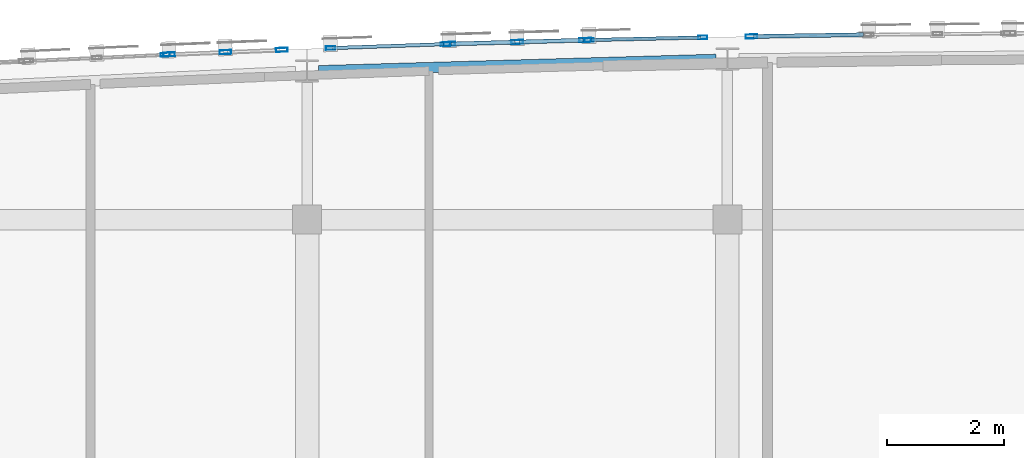
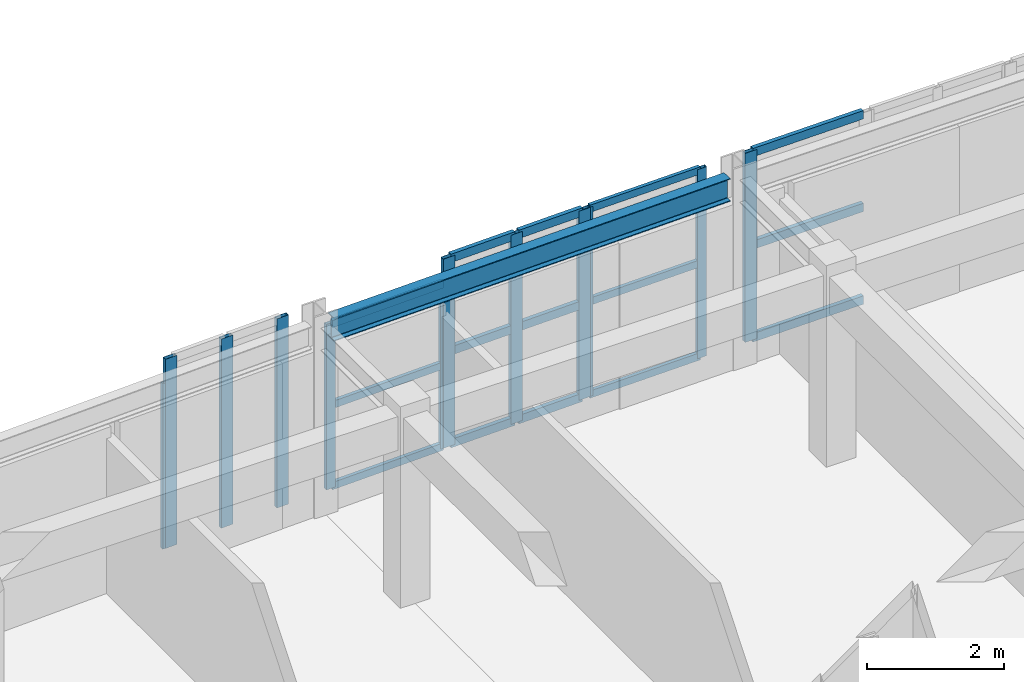
# One storey, part 14 of 34: 27 members, 1 beam, 6 elements without a shape of their own.
"""IFC4 building model written with IfcOpenShell, lengths in metres."""

from ifc_helpers import new_model, si_unit, direction, frame, origin, origin_2d, place, context, subcontext, project, spatial, hollow_rectangle, i_section, extrude, material, layer, layer_set, material_profile, profile_set, type_object, element, aggregate, save


model = new_model("IFC4")

# Units and contexts
model_context = context("Model", 3, precision=1e-05, world=origin(), true_north=direction((0.0, 1.0)))
body_context = subcontext(model_context, "Body", "Model", "MODEL_VIEW")
ifc_project = project(units=[si_unit("LENGTHUNIT", "METRE"), si_unit("AREAUNIT", "SQUARE_METRE"), si_unit("VOLUMEUNIT", "CUBIC_METRE"), si_unit("PLANEANGLEUNIT", "RADIAN"), si_unit("MASSUNIT", "GRAM", prefix="KILO")], contexts=[model_context])

# Site, building, storey
site_placement = place(None, origin())
site = spatial("IfcSite", under=ifc_project, at=site_placement, CompositionType="ELEMENT")
building_placement = place(site_placement, origin())
building = spatial("IfcBuilding", under=site, at=building_placement, Name="Carrowvane Square Congress Hotel", CompositionType="ELEMENT")
storey_placement = place(building_placement, frame((0.0, 0.0, 40.800048828125)))
storey = spatial("IfcBuildingStorey", under=building, at=storey_placement, Name="L10", CompositionType="ELEMENT", Elevation=40.800048828125)

# Beam
ifc_material_1 = material(Name="Steel S355", Category="steel")
ifc_material_profile_1 = material_profile(ifc_material_1, i_section(OverallWidth=0.1787109375, OverallDepth=0.409423828125, WebThickness=0.0087890625, FlangeThickness=0.014404296875, FilletRadius=0.01025390625, at=origin_2d()), Name="UKB 406x178x67")
ifc_profile_set_1 = profile_set([ifc_material_profile_1], Name="Steel S355")
beam_type = type_object("IfcBeamType", Name="BM-ST-UKB406", PredefinedType="BEAM", material=ifc_profile_set_1)
beam_placement = place(storey_placement, frame((83.79736328125, 115.94970703125, 3.17529296875), z_axis=(0.999592525084, 0.028544417936, 0.0), x_axis=(-0.028544417936, 0.999592525084, 0.0)))
element("IfcBeam", 1, at=beam_placement, inside=storey, type_object=beam_type, Name="L11 curved north spandrel", PredefinedType="BEAM", context=body_context, shape_type="SweptSolid", body=[
    extrude(i_section(OverallWidth=0.1787109375, OverallDepth=0.409423828125, WebThickness=0.0087890625, FlangeThickness=0.014404296875, FilletRadius=0.01025390625, at=origin_2d()), origin(), (0.0, 0.0, 1.0), 6.80810546875),
])

# Curtain wall, member
ifc_material_2 = material(Name="Anodised aluminium", Category="aluminium")
ifc_layer_1 = layer(ifc_material_2, 0.23388671875)
ifc_layer_set_1 = layer_set([ifc_layer_1], Name="Anodised aluminium")
curtain_wall_type_1 = type_object("IfcCurtainWallType", Name="CW-SYS-7", PredefinedType="NOTDEFINED", material=ifc_layer_set_1)
curtain_wall_1_placement = place(storey_placement, origin())
curtain_wall_1 = element("IfcCurtainWall", 2, at=curtain_wall_1_placement, inside=storey, type_object=curtain_wall_type_1, Name="L10 unitised curtain wall 566", PredefinedType="NOTDEFINED")
ifc_material_3 = material(Name="Anodised aluminium", Category="aluminium")
ifc_material_profile_2 = material_profile(ifc_material_3, hollow_rectangle(XDim=0.06005859375, YDim=0.159912109375, WallThickness=0.00390625, at=origin_2d()), Name="CW-ML 60x160x4")
ifc_profile_set_2 = profile_set([ifc_material_profile_2], Name="Anodised aluminium")
member_type_1 = type_object("IfcMemberType", Name="CW-MUL-1", PredefinedType="MULLION", material=ifc_profile_set_2)
member_1_placement = place(storey_placement, frame((81.170166015625, 116.226318359375, 0.0), z_axis=(0.0, 0.0, 1.0), x_axis=(-0.045411059449, 0.998968385726, 0.0)))
member_1 = element("IfcMember", 3, at=member_1_placement, type_object=member_type_1, Name="CW-7 mullion 3", PredefinedType="MULLION", context=body_context, shape_type="SweptSolid", body=[
    extrude(hollow_rectangle(XDim=0.06005859375, YDim=0.159912109375, WallThickness=0.00390625, at=origin_2d()), origin(), (0.0, 0.0, 1.0), 2.95556640625),
])
aggregate(curtain_wall_1, [member_1])

# Curtain wall, members
ifc_material_4 = material(Name="Anodised aluminium", Category="aluminium")
ifc_layer_2 = layer(ifc_material_4, 0.162109375)
ifc_layer_set_2 = layer_set([ifc_layer_2], Name="Anodised aluminium")
curtain_wall_type_2 = type_object("IfcCurtainWallType", Name="CW-SYS-1", PredefinedType="NOTDEFINED", material=ifc_layer_set_2)
curtain_wall_2_placement = place(storey_placement, origin())
curtain_wall_2 = element("IfcCurtainWall", 4, at=curtain_wall_2_placement, inside=storey, type_object=curtain_wall_type_2, Name="L10 unitised curtain wall 568", PredefinedType="NOTDEFINED")
member_2_placement = place(storey_placement, frame((84.00048828125, 116.337890625, 0.0), z_axis=(0.0, 0.0, 1.0), x_axis=(-0.034526729036, 0.999403774749, 0.0)))
member_2 = element("IfcMember", 5, at=member_2_placement, type_object=member_type_1, Name="CW-1 mullion 1", PredefinedType="MULLION", context=body_context, shape_type="SweptSolid", body=[
    extrude(hollow_rectangle(XDim=0.06005859375, YDim=0.159912109375, WallThickness=0.00390625, at=origin_2d()), origin(), (0.0, 0.0, 1.0), 2.95556640625),
])
member_3_placement = place(storey_placement, frame((85.969970703125, 116.406005859375, 0.0), z_axis=(0.0, 0.0, 1.0), x_axis=(-0.034526729036, 0.999403774749, 0.0)))
member_3 = element("IfcMember", 6, at=member_3_placement, type_object=member_type_1, Name="CW-1 mullion 2", PredefinedType="MULLION", context=body_context, shape_type="SweptSolid", body=[
    extrude(hollow_rectangle(XDim=0.06005859375, YDim=0.159912109375, WallThickness=0.00390625, at=origin_2d()), origin(), (0.0, 0.0, 1.0), 2.95556640625),
])

ifc_material_5 = material(Name="Anodised aluminium", Category="aluminium")
ifc_layer_3 = layer(ifc_material_5, 0.18603515625)
ifc_layer_set_3 = layer_set([ifc_layer_3], Name="Anodised aluminium")
curtain_wall_type_3 = type_object("IfcCurtainWallType", Name="CW-SYS-3", PredefinedType="NOTDEFINED", material=ifc_layer_set_3)
curtain_wall_3_placement = place(storey_placement, origin())
curtain_wall_3 = element("IfcCurtainWall", 7, at=curtain_wall_3_placement, inside=storey, type_object=curtain_wall_type_3, Name="L10 unitised curtain wall 570", PredefinedType="NOTDEFINED")
member_4_placement = place(storey_placement, frame((88.429931640625, 116.476318359375, 0.0), z_axis=(0.0, 0.0, 1.0), x_axis=(-0.022517686606, 0.99974644475, 0.0)))
member_4 = element("IfcMember", 8, at=member_4_placement, type_object=member_type_1, Name="CW-3 mullion 1", PredefinedType="MULLION", context=body_context, shape_type="SweptSolid", body=[
    extrude(hollow_rectangle(XDim=0.06005859375, YDim=0.159912109375, WallThickness=0.00390625, at=origin_2d()), origin(), (0.0, 0.0, 1.0), 3.3798828125),
])
member_5_placement = place(storey_placement, frame((90.377685546875, 116.520263671875, 0.0), z_axis=(0.0, 0.0, 1.0), x_axis=(-0.022517686606, 0.99974644475, 0.0)))
member_5 = element("IfcMember", 9, at=member_5_placement, type_object=member_type_1, Name="CW-3 mullion 2", PredefinedType="MULLION", context=body_context, shape_type="SweptSolid", body=[
    extrude(hollow_rectangle(XDim=0.06005859375, YDim=0.159912109375, WallThickness=0.00390625, at=origin_2d()), origin(), (0.0, 0.0, 1.0), 3.3798828125),
])

ifc_material_6 = material(Name="Anodised aluminium", Category="aluminium")
ifc_layer_4 = layer(ifc_material_6, 0.24609375)
ifc_layer_set_4 = layer_set([ifc_layer_4], Name="Anodised aluminium")
curtain_wall_type_4 = type_object("IfcCurtainWallType", Name="CW-SYS-8", PredefinedType="NOTDEFINED", material=ifc_layer_set_4)
curtain_wall_4_placement = place(storey_placement, origin())
curtain_wall_4 = element("IfcCurtainWall", 10, at=curtain_wall_4_placement, inside=storey, type_object=curtain_wall_type_4, Name="L10 unitised curtain wall 567", PredefinedType="NOTDEFINED")
ifc_material_7 = material(Name="Anodised aluminium", Category="aluminium")
ifc_material_profile_3 = material_profile(ifc_material_7, hollow_rectangle(XDim=0.070068359375, YDim=0.199951171875, WallThickness=0.0048828125, at=origin_2d()), Name="CW-ML 70x200x5")
ifc_profile_set_3 = profile_set([ifc_material_profile_3], Name="Anodised aluminium")
member_type_2 = type_object("IfcMemberType", Name="CW-MUL-2", PredefinedType="MULLION", material=ifc_profile_set_3)
member_6_placement = place(storey_placement, frame((81.23486328125, 116.22900390625, 0.0), z_axis=(0.0, 0.0, 1.0), x_axis=(-0.040135742379, 0.999194236464, 0.0)))
member_6 = element("IfcMember", 11, at=member_6_placement, type_object=member_type_2, Name="CW-8 mullion 1", PredefinedType="MULLION", context=body_context, shape_type="SweptSolid", body=[
    extrude(hollow_rectangle(XDim=0.070068359375, YDim=0.199951171875, WallThickness=0.0048828125, at=origin_2d()), origin(), (0.0, 0.0, 1.0), 3.3798828125),
])
member_7_placement = place(storey_placement, frame((82.200439453125, 116.267822265625, 0.0), z_axis=(0.0, 0.0, 1.0), x_axis=(-0.040135742379, 0.999194236464, 0.0)))
member_7 = element("IfcMember", 12, at=member_7_placement, type_object=member_type_2, Name="CW-8 mullion 2", PredefinedType="MULLION", context=body_context, shape_type="SweptSolid", body=[
    extrude(hollow_rectangle(XDim=0.070068359375, YDim=0.199951171875, WallThickness=0.0048828125, at=origin_2d()), origin(), (0.0, 0.0, 1.0), 3.3798828125),
])
member_8_placement = place(storey_placement, frame((83.166015625, 116.306640625, 0.0), z_axis=(0.0, 0.0, 1.0), x_axis=(-0.040135742379, 0.999194236464, 0.0)))
member_8 = element("IfcMember", 13, at=member_8_placement, type_object=member_type_2, Name="CW-8 mullion 3", PredefinedType="MULLION", context=body_context, shape_type="SweptSolid", body=[
    extrude(hollow_rectangle(XDim=0.070068359375, YDim=0.199951171875, WallThickness=0.0048828125, at=origin_2d()), origin(), (0.0, 0.0, 1.0), 3.3798828125),
])
aggregate(curtain_wall_4, [member_6, member_7, member_8])

ifc_material_8 = material(Name="Anodised aluminium", Category="aluminium")
ifc_layer_5 = layer(ifc_material_8, 0.174072265625)
ifc_layer_set_5 = layer_set([ifc_layer_5], Name="Anodised aluminium")
curtain_wall_type_5 = type_object("IfcCurtainWallType", Name="CW-SYS-2", PredefinedType="NOTDEFINED", material=ifc_layer_set_5)
curtain_wall_5_placement = place(storey_placement, origin())
curtain_wall_5 = element("IfcCurtainWall", 14, at=curtain_wall_5_placement, inside=storey, type_object=curtain_wall_type_5, Name="L10 unitised curtain wall 569", PredefinedType="NOTDEFINED")
member_9_placement = place(storey_placement, frame((86.034912109375, 116.407958984375, 0.0), z_axis=(0.0, 0.0, 1.0), x_axis=(-0.028638010501, 0.999589848065, 0.0)))
member_9 = element("IfcMember", 15, at=member_9_placement, type_object=member_type_2, Name="CW-2 mullion 1", PredefinedType="MULLION", context=body_context, shape_type="SweptSolid", body=[
    extrude(hollow_rectangle(XDim=0.070068359375, YDim=0.199951171875, WallThickness=0.0048828125, at=origin_2d()), origin(), (0.0, 0.0, 1.0), 3.3798828125),
])
member_10_placement = place(storey_placement, frame((87.199951171875, 116.44140625, 0.0), z_axis=(0.0, 0.0, 1.0), x_axis=(-0.028638010501, 0.999589848065, 0.0)))
member_10 = element("IfcMember", 16, at=member_10_placement, type_object=member_type_2, Name="CW-2 mullion 2", PredefinedType="MULLION", context=body_context, shape_type="SweptSolid", body=[
    extrude(hollow_rectangle(XDim=0.070068359375, YDim=0.199951171875, WallThickness=0.0048828125, at=origin_2d()), origin(), (0.0, 0.0, 1.0), 3.3798828125),
])
member_11_placement = place(storey_placement, frame((88.364990234375, 116.474609375, 0.0), z_axis=(0.0, 0.0, 1.0), x_axis=(-0.028638010501, 0.999589848065, 0.0)))
member_11 = element("IfcMember", 17, at=member_11_placement, type_object=member_type_2, Name="CW-2 mullion 3", PredefinedType="MULLION", context=body_context, shape_type="SweptSolid", body=[
    extrude(hollow_rectangle(XDim=0.070068359375, YDim=0.199951171875, WallThickness=0.0048828125, at=origin_2d()), origin(), (0.0, 0.0, 1.0), 3.3798828125),
])

# Curtain wall, member
ifc_material_9 = material(Name="Anodised aluminium", Category="aluminium")
ifc_layer_6 = layer(ifc_material_9, 0.197998046875)
ifc_layer_set_6 = layer_set([ifc_layer_6], Name="Anodised aluminium")
curtain_wall_type_6 = type_object("IfcCurtainWallType", Name="CW-SYS-4", PredefinedType="NOTDEFINED", material=ifc_layer_set_6)
curtain_wall_6_placement = place(storey_placement, origin())
curtain_wall_6 = element("IfcCurtainWall", 18, at=curtain_wall_6_placement, inside=storey, type_object=curtain_wall_type_6, Name="L10 unitised curtain wall 571", PredefinedType="NOTDEFINED")
member_12_placement = place(storey_placement, frame((91.212646484375, 116.536376953125, 0.0), z_axis=(0.0, 0.0, 1.0), x_axis=(-0.016215981364, 0.99986851233, 0.0)))
member_12 = element("IfcMember", 19, at=member_12_placement, type_object=member_type_2, Name="CW-4 mullion 1", PredefinedType="MULLION", context=body_context, shape_type="SweptSolid", body=[
    extrude(hollow_rectangle(XDim=0.070068359375, YDim=0.199951171875, WallThickness=0.0048828125, at=origin_2d()), origin(), (0.0, 0.0, 1.0), 3.3798828125),
])

# Member
ifc_material_10 = material(Name="Anodised aluminium", Category="aluminium")
ifc_material_profile_4 = material_profile(ifc_material_10, hollow_rectangle(XDim=0.06005859375, YDim=0.1298828125, WallThickness=0.00390625, at=origin_2d()), Name="CW-TR 60x130x4")
ifc_profile_set_4 = profile_set([ifc_material_profile_4], Name="Anodised aluminium")
member_type_3 = type_object("IfcMemberType", Name="CW-TRN-1", PredefinedType="USERDEFINED", material=ifc_profile_set_4)
member_13_placement = place(storey_placement, frame((84.030517578125, 116.3388671875, 0.030029296875), z_axis=(0.999404632698, 0.034501886054, 0.0), x_axis=(-0.034501886054, 0.999404632698, 0.0)))
member_13 = element("IfcMember", 20, at=member_13_placement, type_object=member_type_3, Name="CW-1 transom 1.1", ObjectType="TRANSOM", PredefinedType="USERDEFINED", context=body_context, shape_type="SweptSolid", body=[
    extrude(hollow_rectangle(XDim=0.06005859375, YDim=0.1298828125, WallThickness=0.00390625, at=origin_2d()), origin(), (0.0, 0.0, 1.0), 1.91064453125),
])

member_14_placement = place(storey_placement, frame((84.030517578125, 116.3388671875, 1.477783203125), z_axis=(0.999404632698, 0.034501886054, 0.0), x_axis=(-0.034501886054, 0.999404632698, 0.0)))
member_14 = element("IfcMember", 21, at=member_14_placement, type_object=member_type_3, Name="CW-1 transom 1.2", ObjectType="TRANSOM", PredefinedType="USERDEFINED", context=body_context, shape_type="SweptSolid", body=[
    extrude(hollow_rectangle(XDim=0.06005859375, YDim=0.1298828125, WallThickness=0.00390625, at=origin_2d()), origin(), (0.0, 0.0, 1.0), 1.91064453125),
])

member_15_placement = place(storey_placement, frame((84.030517578125, 116.3388671875, 2.925537109375), z_axis=(0.999404632698, 0.034501886054, 0.0), x_axis=(-0.034501886054, 0.999404632698, 0.0)))
member_15 = element("IfcMember", 22, at=member_15_placement, type_object=member_type_3, Name="CW-1 transom 1.3", ObjectType="TRANSOM", PredefinedType="USERDEFINED", context=body_context, shape_type="SweptSolid", body=[
    extrude(hollow_rectangle(XDim=0.06005859375, YDim=0.1298828125, WallThickness=0.00390625, at=origin_2d()), origin(), (0.0, 0.0, 1.0), 1.91064453125),
])

aggregate(curtain_wall_2, [member_2, member_3, member_13, member_14, member_15])

member_16_placement = place(storey_placement, frame((88.4599609375, 116.47705078125, 0.030029296875), z_axis=(0.999746883827, 0.022498183883, 0.0), x_axis=(-0.022498183883, 0.999746883827, 0.0)))
member_16 = element("IfcMember", 23, at=member_16_placement, type_object=member_type_3, Name="CW-3 transom 1.1", ObjectType="TRANSOM", PredefinedType="USERDEFINED", context=body_context, shape_type="SweptSolid", body=[
    extrude(hollow_rectangle(XDim=0.06005859375, YDim=0.1298828125, WallThickness=0.00390625, at=origin_2d()), origin(), (0.0, 0.0, 1.0), 1.88818359375),
])

member_17_placement = place(storey_placement, frame((88.4599609375, 116.47705078125, 1.68994140625), z_axis=(0.999746883827, 0.022498183883, 0.0), x_axis=(-0.022498183883, 0.999746883827, 0.0)))
member_17 = element("IfcMember", 24, at=member_17_placement, type_object=member_type_3, Name="CW-3 transom 1.2", ObjectType="TRANSOM", PredefinedType="USERDEFINED", context=body_context, shape_type="SweptSolid", body=[
    extrude(hollow_rectangle(XDim=0.06005859375, YDim=0.1298828125, WallThickness=0.00390625, at=origin_2d()), origin(), (0.0, 0.0, 1.0), 1.88818359375),
])

member_18_placement = place(storey_placement, frame((88.4599609375, 116.47705078125, 3.349853515625), z_axis=(0.999746883827, 0.022498183883, 0.0), x_axis=(-0.022498183883, 0.999746883827, 0.0)))
member_18 = element("IfcMember", 25, at=member_18_placement, type_object=member_type_3, Name="CW-3 transom 1.3", ObjectType="TRANSOM", PredefinedType="USERDEFINED", context=body_context, shape_type="SweptSolid", body=[
    extrude(hollow_rectangle(XDim=0.06005859375, YDim=0.1298828125, WallThickness=0.00390625, at=origin_2d()), origin(), (0.0, 0.0, 1.0), 1.88818359375),
])

aggregate(curtain_wall_3, [member_4, member_5, member_16, member_17, member_18])

ifc_material_11 = material(Name="Anodised aluminium", Category="aluminium")
ifc_material_profile_5 = material_profile(ifc_material_11, hollow_rectangle(XDim=0.070068359375, YDim=0.14990234375, WallThickness=0.0048828125, at=origin_2d()), Name="CW-TR 70x150x5")
ifc_profile_set_5 = profile_set([ifc_material_profile_5], Name="Anodised aluminium")
member_type_4 = type_object("IfcMemberType", Name="CW-TRN-2", PredefinedType="USERDEFINED", material=ifc_profile_set_5)
member_19_placement = place(storey_placement, frame((86.070068359375, 116.408935546875, 0.034912109375), z_axis=(0.999586614567, 0.02875065179, 0.0), x_axis=(-0.02875065179, 0.999586614567, 0.0)))
member_19 = element("IfcMember", 26, at=member_19_placement, type_object=member_type_4, Name="CW-2 transom 1.1", ObjectType="TRANSOM", PredefinedType="USERDEFINED", context=body_context, shape_type="SweptSolid", body=[
    extrude(hollow_rectangle(XDim=0.070068359375, YDim=0.14990234375, WallThickness=0.0048828125, at=origin_2d()), origin(), (0.0, 0.0, 1.0), 1.095458984375),
])

member_20_placement = place(storey_placement, frame((86.070068359375, 116.408935546875, 1.68994140625), z_axis=(0.999586614567, 0.02875065179, 0.0), x_axis=(-0.02875065179, 0.999586614567, 0.0)))
member_20 = element("IfcMember", 27, at=member_20_placement, type_object=member_type_4, Name="CW-2 transom 1.2", ObjectType="TRANSOM", PredefinedType="USERDEFINED", context=body_context, shape_type="SweptSolid", body=[
    extrude(hollow_rectangle(XDim=0.070068359375, YDim=0.14990234375, WallThickness=0.0048828125, at=origin_2d()), origin(), (0.0, 0.0, 1.0), 1.095458984375),
])

member_21_placement = place(storey_placement, frame((86.070068359375, 116.408935546875, 3.344970703125), z_axis=(0.999586614567, 0.02875065179, 0.0), x_axis=(-0.02875065179, 0.999586614567, 0.0)))
member_21 = element("IfcMember", 28, at=member_21_placement, type_object=member_type_4, Name="CW-2 transom 1.3", ObjectType="TRANSOM", PredefinedType="USERDEFINED", context=body_context, shape_type="SweptSolid", body=[
    extrude(hollow_rectangle(XDim=0.070068359375, YDim=0.14990234375, WallThickness=0.0048828125, at=origin_2d()), origin(), (0.0, 0.0, 1.0), 1.095458984375),
])

member_22_placement = place(storey_placement, frame((87.235107421875, 116.4423828125, 0.034912109375), z_axis=(0.999592994905, 0.028527960613, 0.0), x_axis=(-0.028527960613, 0.999592994905, 0.0)))
member_22 = element("IfcMember", 29, at=member_22_placement, type_object=member_type_4, Name="CW-2 transom 2.1", ObjectType="TRANSOM", PredefinedType="USERDEFINED", context=body_context, shape_type="SweptSolid", body=[
    extrude(hollow_rectangle(XDim=0.070068359375, YDim=0.14990234375, WallThickness=0.0048828125, at=origin_2d()), origin(), (0.0, 0.0, 1.0), 1.095458984375),
])

member_23_placement = place(storey_placement, frame((87.235107421875, 116.4423828125, 1.68994140625), z_axis=(0.999592994905, 0.028527960613, 0.0), x_axis=(-0.028527960613, 0.999592994905, 0.0)))
member_23 = element("IfcMember", 30, at=member_23_placement, type_object=member_type_4, Name="CW-2 transom 2.2", ObjectType="TRANSOM", PredefinedType="USERDEFINED", context=body_context, shape_type="SweptSolid", body=[
    extrude(hollow_rectangle(XDim=0.070068359375, YDim=0.14990234375, WallThickness=0.0048828125, at=origin_2d()), origin(), (0.0, 0.0, 1.0), 1.095458984375),
])

member_24_placement = place(storey_placement, frame((87.235107421875, 116.4423828125, 3.344970703125), z_axis=(0.999592994905, 0.028527960613, 0.0), x_axis=(-0.028527960613, 0.999592994905, 0.0)))
member_24 = element("IfcMember", 31, at=member_24_placement, type_object=member_type_4, Name="CW-2 transom 2.3", ObjectType="TRANSOM", PredefinedType="USERDEFINED", context=body_context, shape_type="SweptSolid", body=[
    extrude(hollow_rectangle(XDim=0.070068359375, YDim=0.14990234375, WallThickness=0.0048828125, at=origin_2d()), origin(), (0.0, 0.0, 1.0), 1.095458984375),
])

aggregate(curtain_wall_5, [member_9, member_10, member_11, member_19, member_20, member_21, member_22, member_23, member_24])

member_25_placement = place(storey_placement, frame((91.24755859375, 116.537109375, 0.034912109375), z_axis=(0.999868599908, 0.016210580414, 0.0), x_axis=(-0.016210580414, 0.999868599908, 0.0)))
member_25 = element("IfcMember", 32, at=member_25_placement, type_object=member_type_4, Name="CW-4 transom 1.1", ObjectType="TRANSOM", PredefinedType="USERDEFINED", context=body_context, shape_type="SweptSolid", body=[
    extrude(hollow_rectangle(XDim=0.070068359375, YDim=0.14990234375, WallThickness=0.0048828125, at=origin_2d()), origin(), (0.0, 0.0, 1.0), 1.882568359375),
])

member_26_placement = place(storey_placement, frame((91.24755859375, 116.537109375, 1.68994140625), z_axis=(0.999868599908, 0.016210580414, 0.0), x_axis=(-0.016210580414, 0.999868599908, 0.0)))
member_26 = element("IfcMember", 33, at=member_26_placement, type_object=member_type_4, Name="CW-4 transom 1.2", ObjectType="TRANSOM", PredefinedType="USERDEFINED", context=body_context, shape_type="SweptSolid", body=[
    extrude(hollow_rectangle(XDim=0.070068359375, YDim=0.14990234375, WallThickness=0.0048828125, at=origin_2d()), origin(), (0.0, 0.0, 1.0), 1.882568359375),
])

member_27_placement = place(storey_placement, frame((91.24755859375, 116.537109375, 3.344970703125), z_axis=(0.999868599908, 0.016210580414, 0.0), x_axis=(-0.016210580414, 0.999868599908, 0.0)))
member_27 = element("IfcMember", 34, at=member_27_placement, type_object=member_type_4, Name="CW-4 transom 1.3", ObjectType="TRANSOM", PredefinedType="USERDEFINED", context=body_context, shape_type="SweptSolid", body=[
    extrude(hollow_rectangle(XDim=0.070068359375, YDim=0.14990234375, WallThickness=0.0048828125, at=origin_2d()), origin(), (0.0, 0.0, 1.0), 1.882568359375),
])

aggregate(curtain_wall_6, [member_12, member_25, member_26, member_27])

save(model, "model.ifc")
